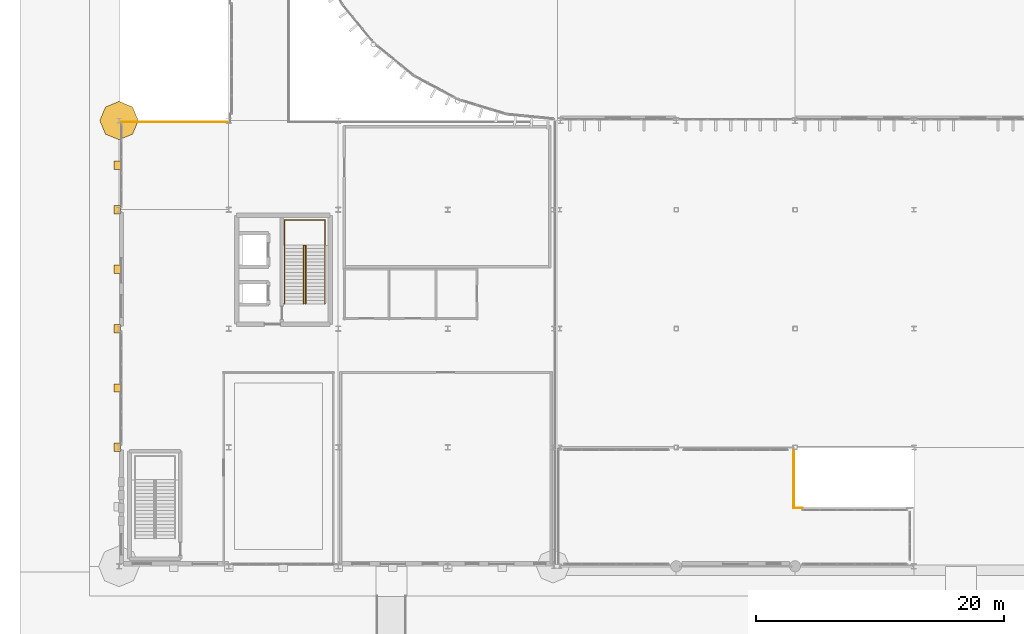
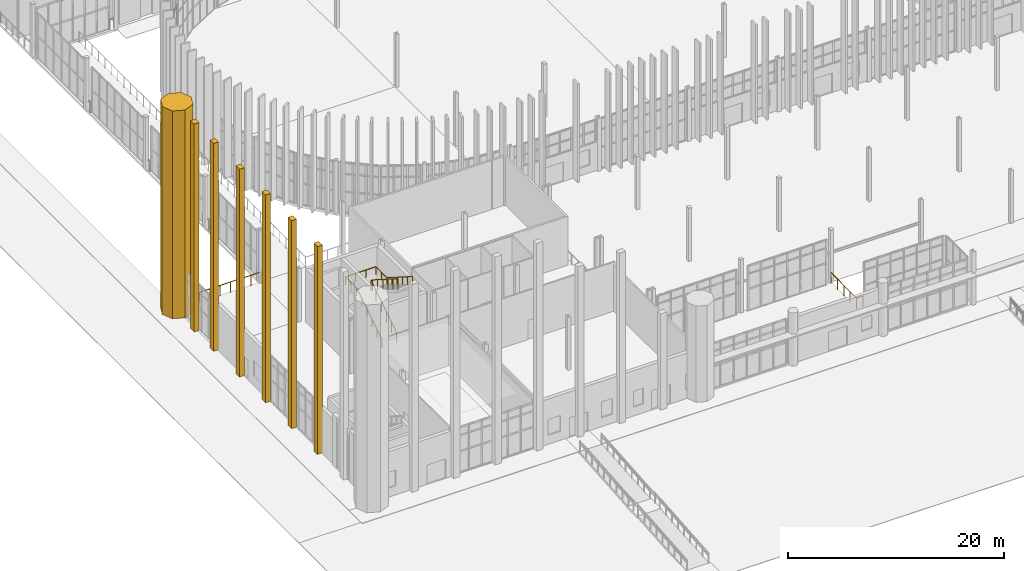
# One storey, part 111 of 139: 7 coverings, 5 railings.
"""IFC4 building model written with IfcOpenShell, lengths in metres."""

from ifc_helpers import new_model, si_unit, direction, frame, origin, origin_2d, place, context, subcontext, project, spatial, polyline, circle, outline, extrude, material, layer, layer_set, type_object, element, save


model = new_model("IFC4")

# Units and contexts
model_context = context("Model", 3, precision=1e-05, world=origin(), true_north=direction((0.0, 1.0)))
body_context = subcontext(model_context, "Body", "Model", "MODEL_VIEW")
ifc_project = project(units=[si_unit("LENGTHUNIT", "METRE"), si_unit("AREAUNIT", "SQUARE_METRE"), si_unit("VOLUMEUNIT", "CUBIC_METRE"), si_unit("PLANEANGLEUNIT", "RADIAN"), si_unit("MASSUNIT", "GRAM", prefix="KILO")], contexts=[model_context])

# Site, building, storey
site_placement = place(None, origin())
site = spatial("IfcSite", under=ifc_project, at=site_placement, CompositionType="ELEMENT")
building_placement = place(site_placement, origin())
building = spatial("IfcBuilding", under=site, at=building_placement, Name="Yeouljin Market Hall", CompositionType="ELEMENT")
storey_placement = place(building_placement, origin())
storey = spatial("IfcBuildingStorey", under=building, at=storey_placement, Name="L00", CompositionType="ELEMENT", Elevation=0.0)

# Coverings
ifc_material_1 = material(Name="Clinker Brick Masonry F2-S2", Category="masonry")
ifc_layer = layer(ifc_material_1, 0.5400390625)
ifc_layer_set = layer_set([ifc_layer], Name="Clinker Brick Masonry F2-S2")
covering_type = type_object("IfcCoveringType", Name="Covering_Clinker_PleatedPier", PredefinedType="CLADDING", material=ifc_layer_set)
covering_1_placement = place(storey_placement, origin())
element("IfcCovering", 1, at=covering_1_placement, inside=storey, type_object=covering_type, Name="Amsterdam School sculpted brick corner turret NW-V2", PredefinedType="CLADDING", context=body_context, shape_type="SweptSolid", body=[
    extrude(outline(polyline([(1.550048828125, 36.0), (1.095947265625, 37.095947265625), (0.0, 37.550048828125), (-1.095947265625, 37.095947265625), (-1.550048828125, 36.0), (-1.095947265625, 34.904052734375), (0.0, 34.449951171875), (1.095947265625, 34.904052734375), (1.550048828125, 36.0)])), origin(), (0.0, 0.0, 1.0), 23.449951171875),
])
covering_2_placement = place(storey_placement, origin())
element("IfcCovering", 2, at=covering_2_placement, inside=storey, type_object=covering_type, Name="Pleated clinker-brick west facade pier W-016", PredefinedType="CLADDING", context=body_context, shape_type="SweptSolid", body=[
    extrude(outline(polyline([(-0.419921875, 9.260009765625), (0.1201171875, 9.260009765625), (0.1201171875, 9.93994140625), (-0.419921875, 9.93994140625), (-0.419921875, 9.260009765625)])), origin(), (0.0, 0.0, 1.0), 23.449951171875),
])
covering_3_placement = place(storey_placement, origin())
element("IfcCovering", 3, at=covering_3_placement, inside=storey, type_object=covering_type, Name="Pleated clinker-brick west facade pier W-017", PredefinedType="CLADDING", context=body_context, shape_type="SweptSolid", body=[
    extrude(outline(polyline([(-0.419921875, 14.06005859375), (0.1201171875, 14.06005859375), (0.1201171875, 14.739990234375), (-0.419921875, 14.739990234375), (-0.419921875, 14.06005859375)])), origin(), (0.0, 0.0, 1.0), 23.449951171875),
])
covering_4_placement = place(storey_placement, origin())
element("IfcCovering", 4, at=covering_4_placement, inside=storey, type_object=covering_type, Name="Pleated clinker-brick west facade pier W-018", PredefinedType="CLADDING", context=body_context, shape_type="SweptSolid", body=[
    extrude(outline(polyline([(-0.419921875, 18.860107421875), (0.1201171875, 18.860107421875), (0.1201171875, 19.5400390625), (-0.419921875, 19.5400390625), (-0.419921875, 18.860107421875)])), origin(), (0.0, 0.0, 1.0), 23.449951171875),
])
covering_5_placement = place(storey_placement, origin())
element("IfcCovering", 5, at=covering_5_placement, inside=storey, type_object=covering_type, Name="Pleated clinker-brick west facade pier W-019", PredefinedType="CLADDING", context=body_context, shape_type="SweptSolid", body=[
    extrude(outline(polyline([(-0.419921875, 23.659912109375), (0.1201171875, 23.659912109375), (0.1201171875, 24.340087890625), (-0.419921875, 24.340087890625), (-0.419921875, 23.659912109375)])), origin(), (0.0, 0.0, 1.0), 23.449951171875),
])
covering_6_placement = place(storey_placement, origin())
element("IfcCovering", 6, at=covering_6_placement, inside=storey, type_object=covering_type, Name="Pleated clinker-brick west facade pier W-020", PredefinedType="CLADDING", context=body_context, shape_type="SweptSolid", body=[
    extrude(outline(polyline([(-0.419921875, 28.4599609375), (0.1201171875, 28.4599609375), (0.1201171875, 29.139892578125), (-0.419921875, 29.139892578125), (-0.419921875, 28.4599609375)])), origin(), (0.0, 0.0, 1.0), 23.449951171875),
])
covering_7_placement = place(storey_placement, origin())
element("IfcCovering", 7, at=covering_7_placement, inside=storey, type_object=covering_type, Name="Pleated clinker-brick west facade pier W-021", PredefinedType="CLADDING", context=body_context, shape_type="SweptSolid", body=[
    extrude(outline(polyline([(-0.419921875, 32.06005859375), (0.1201171875, 32.06005859375), (0.1201171875, 32.739990234375), (-0.419921875, 32.739990234375), (-0.419921875, 32.06005859375)])), origin(), (0.0, 0.0, 1.0), 23.449951171875),
])

# Railings
ifc_material_2 = material(Name="Wrought Iron and Bronze Gallery Balustrade")
railing_type_1 = type_object("IfcRailingType", Name="Railing_AtriumBalustrade_1200", PredefinedType="BALUSTRADE", material=ifc_material_2)
railing_1_placement = place(storey_placement, frame((54.5, 9.449951171875, 0.0)))
element("IfcRailing", 8, at=railing_1_placement, inside=storey, type_object=railing_type_1, Name="Gallery & deck edge balustrade L00-039", PredefinedType="BALUSTRADE", context=body_context, shape_type="SweptSolid", body=[
    extrude(circle(Radius=0.02392578125, at=origin_2d()), frame((0.0, 0.0, 1.17578125), z_axis=(0.0, -1.0, 0.0), x_axis=(1.0, 0.0, 0.0)), (0.0, 0.0, 1.0), 4.75),
    extrude(circle(Radius=0.02099609375, at=origin_2d()), origin(), (0.0, 0.0, 1.0), 1.15185546875),
    extrude(circle(Radius=0.02099609375, at=origin_2d()), frame((0.0, -1.1875, 0.0)), (0.0, 0.0, 1.0), 1.15185546875),
    extrude(circle(Radius=0.02099609375, at=origin_2d()), frame((0.0, -2.375, 0.0)), (0.0, 0.0, 1.0), 1.15185546875),
    extrude(circle(Radius=0.02099609375, at=origin_2d()), frame((0.0, -3.5625, 0.0)), (0.0, 0.0, 1.0), 1.15185546875),
    extrude(circle(Radius=0.02099609375, at=origin_2d()), frame((0.0, -4.75, 0.0)), (0.0, 0.0, 1.0), 1.15185546875),
])
railing_2_placement = place(storey_placement, frame((54.5, 4.699951171875, 0.0)))
element("IfcRailing", 9, at=railing_2_placement, inside=storey, type_object=railing_type_1, Name="Gallery & deck edge balustrade L00-040", PredefinedType="BALUSTRADE", context=body_context, shape_type="SweptSolid", body=[
    extrude(circle(Radius=0.02392578125, at=origin_2d()), frame((0.0, 0.0, 1.17578125), z_axis=(1.0, 0.0, 0.0), x_axis=(0.0, 1.0, 0.0)), (0.0, 0.0, 1.0), 0.699951171875),
    extrude(circle(Radius=0.02099609375, at=origin_2d()), origin(), (0.0, 0.0, 1.0), 1.15185546875),
    extrude(circle(Radius=0.02099609375, at=origin_2d()), frame((0.699951171875, 0.0, 0.0)), (0.0, 0.0, 1.0), 1.15185546875),
])
railing_3_placement = place(storey_placement, frame((0.199951171875, 35.89990234375, 0.0)))
element("IfcRailing", 10, at=railing_3_placement, inside=storey, type_object=railing_type_1, Name="Gallery & deck edge balustrade L00-042", PredefinedType="BALUSTRADE", context=body_context, shape_type="SweptSolid", body=[
    extrude(circle(Radius=0.02392578125, at=origin_2d()), frame((0.0, 0.0, 1.17578125), z_axis=(1.0, 0.0, 0.0), x_axis=(0.0, 1.0, 0.0)), (0.0, 0.0, 1.0), 8.75),
    extrude(circle(Radius=0.02099609375, at=origin_2d()), origin(), (0.0, 0.0, 1.0), 1.15185546875),
    extrude(circle(Radius=0.02099609375, at=origin_2d()), frame((1.09375, 0.0, 0.0)), (0.0, 0.0, 1.0), 1.15185546875),
    extrude(circle(Radius=0.02099609375, at=origin_2d()), frame((2.1875, 0.0, 0.0)), (0.0, 0.0, 1.0), 1.15185546875),
    extrude(circle(Radius=0.02099609375, at=origin_2d()), frame((3.28125, 0.0, 0.0)), (0.0, 0.0, 1.0), 1.15185546875),
    extrude(circle(Radius=0.02099609375, at=origin_2d()), frame((4.375, 0.0, 0.0)), (0.0, 0.0, 1.0), 1.15185546875),
    extrude(circle(Radius=0.02099609375, at=origin_2d()), frame((5.46875, 0.0, 0.0)), (0.0, 0.0, 1.0), 1.15185546875),
    extrude(circle(Radius=0.02099609375, at=origin_2d()), frame((6.5625, 0.0, 0.0)), (0.0, 0.0, 1.0), 1.15185546875),
    extrude(circle(Radius=0.02099609375, at=origin_2d()), frame((7.65625, 0.0, 0.0)), (0.0, 0.0, 1.0), 1.15185546875),
    extrude(circle(Radius=0.02099609375, at=origin_2d()), frame((8.75, 0.0, 0.0)), (0.0, 0.0, 1.0), 1.15185546875),
])
ifc_material_3 = material(Name="Painted Steel Stair Guardrail", Category="steel")
railing_type_2 = type_object("IfcRailingType", Name="Railing_StairGuard_1200", PredefinedType="GUARDRAIL", material=ifc_material_3)
railing_4_placement = place(storey_placement, frame((14.919921875, 21.199951171875, 0.0)))
element("IfcRailing", 11, at=railing_4_placement, inside=storey, type_object=railing_type_2, Name="Stair ST-C1-L00 inner well guardrail", PredefinedType="GUARDRAIL", context=body_context, shape_type="SweptSolid", body=[
    extrude(circle(Radius=0.02392578125, at=origin_2d()), frame((0.0, 0.0, 1.17578125), z_axis=(0.0, 0.84395435455, 0.536414995537), x_axis=(-1.0, 0.0, 0.0)), (0.0, 0.0, 1.0), 5.5927734375),
    extrude(circle(Radius=0.02392578125, at=origin_2d()), frame((0.0, 4.719970703125, 4.17578125), z_axis=(1.0, 0.0, 0.0), x_axis=(0.0, 1.0, 0.0)), (0.0, 0.0, 1.0), 0.16015625),
    extrude(circle(Radius=0.02392578125, at=origin_2d()), frame((0.16015625, 4.719970703125, 4.17578125), z_axis=(0.0, -0.84395435455, 0.536414995537), x_axis=(1.0, 0.0, 0.0)), (0.0, 0.0, 1.0), 5.5927734375),
    extrude(circle(Radius=0.02099609375, at=origin_2d()), origin(), (0.0, 0.0, 1.0), 1.15185546875),
    extrude(circle(Radius=0.02099609375, at=origin_2d()), frame((0.0, 0.944091796875, 0.60009765625)), (0.0, 0.0, 1.0), 1.15185546875),
    extrude(circle(Radius=0.02099609375, at=origin_2d()), frame((0.0, 1.887939453125, 1.199951171875)), (0.0, 0.0, 1.0), 1.15185546875),
    extrude(circle(Radius=0.02099609375, at=origin_2d()), frame((0.0, 2.83203125, 1.800048828125)), (0.0, 0.0, 1.0), 1.15185546875),
    extrude(circle(Radius=0.02099609375, at=origin_2d()), frame((0.0, 3.77587890625, 2.39990234375)), (0.0, 0.0, 1.0), 1.15185546875),
    extrude(circle(Radius=0.02099609375, at=origin_2d()), frame((0.0, 4.719970703125, 3.0)), (0.0, 0.0, 1.0), 1.15185546875),
    extrude(circle(Radius=0.02099609375, at=origin_2d()), frame((0.16015625, 4.719970703125, 3.0)), (0.0, 0.0, 1.0), 1.15185546875),
    extrude(circle(Radius=0.02099609375, at=origin_2d()), frame((0.16015625, 3.77587890625, 3.60009765625)), (0.0, 0.0, 1.0), 1.15185546875),
    extrude(circle(Radius=0.02099609375, at=origin_2d()), frame((0.16015625, 2.83203125, 4.199951171875)), (0.0, 0.0, 1.0), 1.15185546875),
    extrude(circle(Radius=0.02099609375, at=origin_2d()), frame((0.16015625, 1.887939453125, 4.800048828125)), (0.0, 0.0, 1.0), 1.15185546875),
    extrude(circle(Radius=0.02099609375, at=origin_2d()), frame((0.16015625, 0.944091796875, 5.39990234375)), (0.0, 0.0, 1.0), 1.15185546875),
    extrude(circle(Radius=0.02099609375, at=origin_2d()), frame((0.16015625, 0.0, 6.0)), (0.0, 0.0, 1.0), 1.15185546875),
])
ifc_material_4 = material(Name="Brushed Stainless Steel", Category="steel")
railing_type_3 = type_object("IfcRailingType", Name="Railing_StairHandrail_900", PredefinedType="HANDRAIL", material=ifc_material_4)
railing_5_placement = place(storey_placement, frame((13.3798828125, 21.199951171875, 0.0)))
element("IfcRailing", 12, at=railing_5_placement, inside=storey, type_object=railing_type_3, Name="Stair ST-C1-L00 wall handrail", PredefinedType="HANDRAIL", context=body_context, shape_type="SweptSolid", body=[
    extrude(circle(Radius=0.02392578125, at=origin_2d()), frame((0.0, 0.0, 0.8759765625), z_axis=(0.0, 0.84395435455, 0.536414995537), x_axis=(-1.0, 0.0, 0.0)), (0.0, 0.0, 1.0), 5.5927734375),
    extrude(circle(Radius=0.02392578125, at=origin_2d()), frame((0.0, 4.719970703125, 3.8759765625), z_axis=(0.0, 1.0, 0.0), x_axis=(-1.0, 0.0, 0.0)), (0.0, 0.0, 1.0), 2.050048828125),
    extrude(circle(Radius=0.02392578125, at=origin_2d()), frame((0.0, 6.77001953125, 3.8759765625), z_axis=(1.0, 0.0, 0.0), x_axis=(0.0, 1.0, 0.0)), (0.0, 0.0, 1.0), 3.240234375),
    extrude(circle(Radius=0.02392578125, at=origin_2d()), frame((3.240234375, 6.77001953125, 3.8759765625), z_axis=(0.0, -1.0, 0.0), x_axis=(1.0, 0.0, 0.0)), (0.0, 0.0, 1.0), 2.050048828125),
    extrude(circle(Radius=0.02392578125, at=origin_2d()), frame((3.240234375, 4.719970703125, 3.8759765625), z_axis=(0.0, -0.84395435455, 0.536414995537), x_axis=(1.0, 0.0, 0.0)), (0.0, 0.0, 1.0), 5.5927734375),
    extrude(circle(Radius=0.02099609375, at=origin_2d()), origin(), (0.0, 0.0, 1.0), 0.851806640625),
    extrude(circle(Radius=0.02099609375, at=origin_2d()), frame((0.0, 0.944091796875, 0.60009765625)), (0.0, 0.0, 1.0), 0.851806640625),
    extrude(circle(Radius=0.02099609375, at=origin_2d()), frame((0.0, 1.887939453125, 1.199951171875)), (0.0, 0.0, 1.0), 0.851806640625),
    extrude(circle(Radius=0.02099609375, at=origin_2d()), frame((0.0, 2.83203125, 1.800048828125)), (0.0, 0.0, 1.0), 0.851806640625),
    extrude(circle(Radius=0.02099609375, at=origin_2d()), frame((0.0, 3.77587890625, 2.39990234375)), (0.0, 0.0, 1.0), 0.851806640625),
    extrude(circle(Radius=0.02099609375, at=origin_2d()), frame((0.0, 4.719970703125, 3.0)), (0.0, 0.0, 1.0), 0.851806640625),
    extrude(circle(Radius=0.02099609375, at=origin_2d()), frame((0.0, 5.7451171875, 3.0)), (0.0, 0.0, 1.0), 0.851806640625),
    extrude(circle(Radius=0.02099609375, at=origin_2d()), frame((0.0, 6.77001953125, 3.0)), (0.0, 0.0, 1.0), 0.851806640625),
    extrude(circle(Radius=0.02099609375, at=origin_2d()), frame((1.080078125, 6.77001953125, 3.0)), (0.0, 0.0, 1.0), 0.851806640625),
    extrude(circle(Radius=0.02099609375, at=origin_2d()), frame((2.16015625, 6.77001953125, 3.0)), (0.0, 0.0, 1.0), 0.851806640625),
    extrude(circle(Radius=0.02099609375, at=origin_2d()), frame((3.240234375, 6.77001953125, 3.0)), (0.0, 0.0, 1.0), 0.851806640625),
    extrude(circle(Radius=0.02099609375, at=origin_2d()), frame((3.240234375, 5.7451171875, 3.0)), (0.0, 0.0, 1.0), 0.851806640625),
    extrude(circle(Radius=0.02099609375, at=origin_2d()), frame((3.240234375, 4.719970703125, 3.0)), (0.0, 0.0, 1.0), 0.851806640625),
    extrude(circle(Radius=0.02099609375, at=origin_2d()), frame((3.240234375, 3.77587890625, 3.60009765625)), (0.0, 0.0, 1.0), 0.851806640625),
    extrude(circle(Radius=0.02099609375, at=origin_2d()), frame((3.240234375, 2.83203125, 4.199951171875)), (0.0, 0.0, 1.0), 0.851806640625),
    extrude(circle(Radius=0.02099609375, at=origin_2d()), frame((3.240234375, 1.887939453125, 4.800048828125)), (0.0, 0.0, 1.0), 0.851806640625),
    extrude(circle(Radius=0.02099609375, at=origin_2d()), frame((3.240234375, 0.944091796875, 5.39990234375)), (0.0, 0.0, 1.0), 0.851806640625),
    extrude(circle(Radius=0.02099609375, at=origin_2d()), frame((3.240234375, 0.0, 6.0)), (0.0, 0.0, 1.0), 0.851806640625),
])

save(model, "model.ifc")
